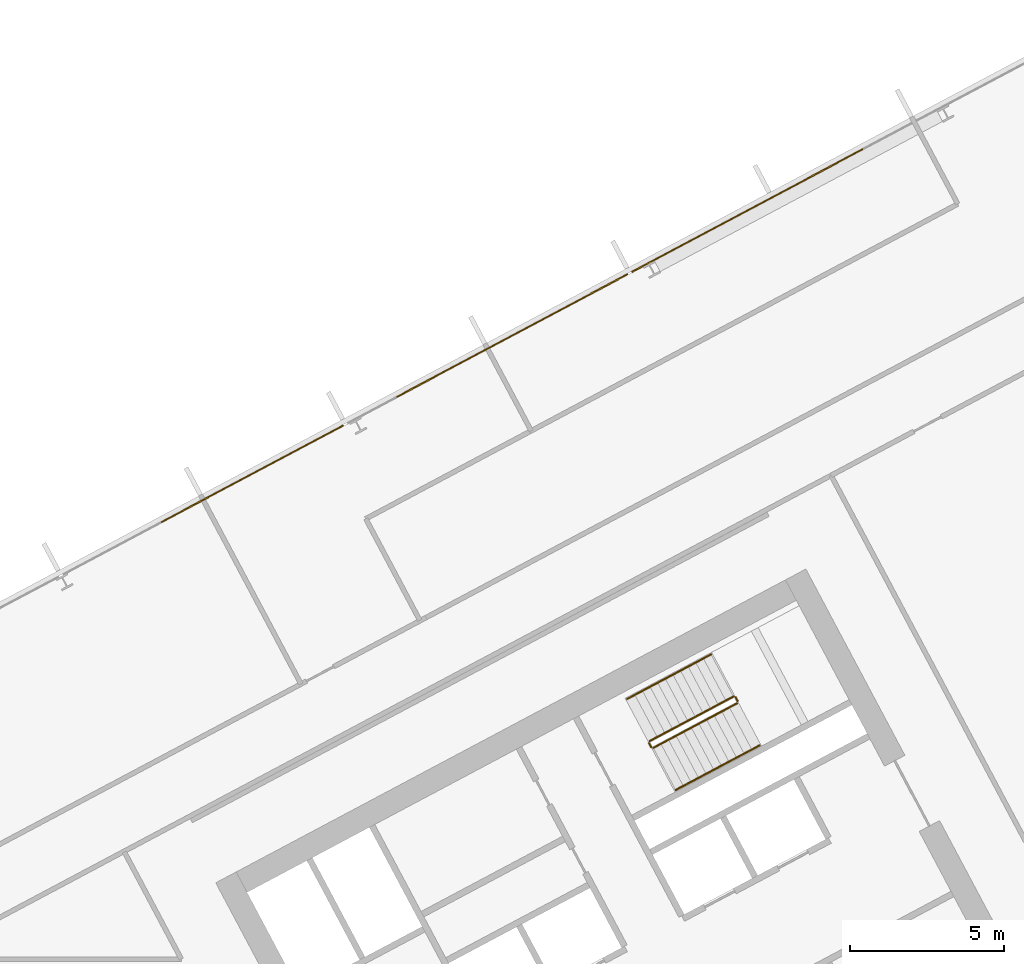
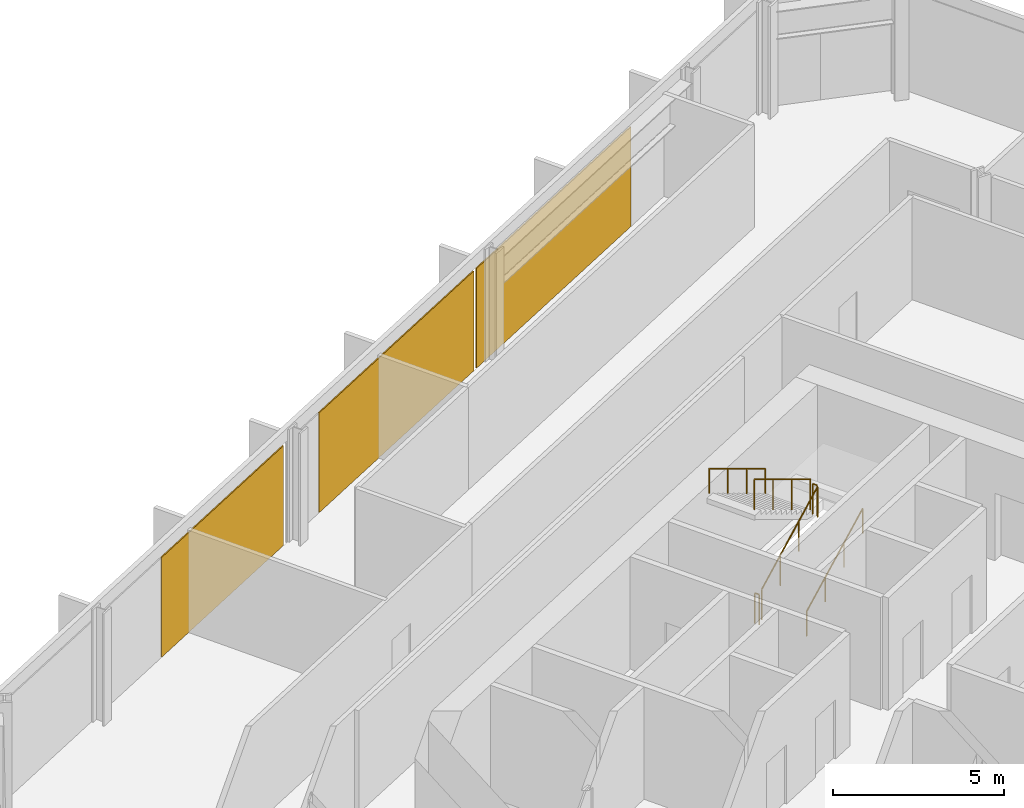
# One storey, part 27 of 28: 6 railings, 3 coverings, 1 element without a shape of its own.
"""IFC4 building model written with IfcOpenShell, lengths in metres."""

from ifc_helpers import new_model, si_unit, direction, frame, origin, origin_2d, place, context, subcontext, project, spatial, polyline, rectangle, outline, extrude, material, layer, layer_set, type_object, element, aggregate, save


model = new_model("IFC4")

# Units and contexts
model_context = context("Model", 3, precision=1e-05, world=origin(), true_north=direction((0.0, 1.0)))
body_context = subcontext(model_context, "Body", "Model", "MODEL_VIEW")
ifc_project = project(units=[si_unit("LENGTHUNIT", "METRE"), si_unit("AREAUNIT", "SQUARE_METRE"), si_unit("VOLUMEUNIT", "CUBIC_METRE"), si_unit("PLANEANGLEUNIT", "RADIAN"), si_unit("MASSUNIT", "GRAM", prefix="KILO")], contexts=[model_context])

# Site, building, storey
site_placement = place(None, origin())
site = spatial("IfcSite", under=ifc_project, at=site_placement, CompositionType="ELEMENT")
building_placement = place(site_placement, origin())
building = spatial("IfcBuilding", under=site, at=building_placement, Name="Cormorant Relay Tower", CompositionType="ELEMENT")
storey_placement = place(building_placement, frame((0.0, 0.0, 134.199951171875)))
storey = spatial("IfcBuildingStorey", under=building, at=storey_placement, Name="L27", CompositionType="ELEMENT", Elevation=134.199951171875)

# Curtain wall, coverings
ifc_material_1 = material(Name="Aluminium 6063-T6 anodised bronze", Category="aluminium")
ifc_layer_1 = layer(ifc_material_1, 0.199951171875)
ifc_layer_set_1 = layer_set([ifc_layer_1], Name="CW1 unitised bronze curtain wall with vertical fins")
curtain_wall_type = type_object("IfcCurtainWallType", Name="CW1 unitised bronze curtain wall with vertical fins", PredefinedType="NOTDEFINED", material=ifc_layer_set_1)
curtain_wall_placement = place(storey_placement, origin())
curtain_wall = element("IfcCurtainWall", 1, at=curtain_wall_placement, inside=storey, type_object=curtain_wall_type, Name="CW1 curtain wall 8", PredefinedType="NOTDEFINED")
ifc_material_2 = material(Name="Pale bronze anodised aluminium insulated panel", Category="aluminium")
ifc_layer_2 = layer(ifc_material_2, 0.0400390625)
ifc_layer_set_2 = layer_set([ifc_layer_2], Name="CW1 pale bronze insulated panel 40")
covering_type = type_object("IfcCoveringType", Name="CW1 pale bronze insulated panel 40", PredefinedType="CLADDING", material=ifc_layer_set_2)
covering_1_placement = place(storey_placement, frame((26.89892578125, 38.10888671875, 0.0), z_axis=(0.0, 0.0, 1.0), x_axis=(-0.882947592859, -0.469471562786, 0.0)))
covering_1 = element("IfcCovering", 2, at=covering_1_placement, type_object=covering_type, Name="CW1 panel S02", PredefinedType="CLADDING", context=body_context, shape_type="SweptSolid", body=[
    extrude(rectangle(XDim=8.508544921875, YDim=0.0400390625, at=origin_2d()), origin(), (0.0, 0.0, 1.0), 3.550048828125),
])
covering_2_placement = place(storey_placement, frame((19.25390625, 34.044189453125, 0.0), z_axis=(0.0, 0.0, 1.0), x_axis=(-0.882947592859, -0.469471562786, 0.0)))
covering_2 = element("IfcCovering", 3, at=covering_2_placement, type_object=covering_type, Name="CW1 panel S03", PredefinedType="CLADDING", context=body_context, shape_type="SweptSolid", body=[
    extrude(rectangle(XDim=8.508544921875, YDim=0.0400390625, at=origin_2d()), origin(), (0.0, 0.0, 1.0), 3.550048828125),
])
covering_3_placement = place(storey_placement, frame((10.814208984375, 29.556640625, 0.0), z_axis=(0.0, 0.0, 1.0), x_axis=(-0.882947592859, -0.469471562786, 0.0)))
covering_3 = element("IfcCovering", 4, at=covering_3_placement, type_object=covering_type, Name="CW1 panel S05", PredefinedType="CLADDING", context=body_context, shape_type="SweptSolid", body=[
    extrude(rectangle(XDim=6.70849609375, YDim=0.0400390625, at=origin_2d()), origin(), (0.0, 0.0, 1.0), 3.550048828125),
])
aggregate(curtain_wall, [covering_1, covering_2, covering_3])

# Railings
ifc_material_3 = material(Name="Steel ASTM A572 Grade 50 (Fy 345 MPa)", Category="steel")
railing_type_1 = type_object("IfcRailingType", Name="Stair guard 1100", PredefinedType="GUARDRAIL", material=ifc_material_3)
railing_1_placement = place(storey_placement, frame((23.8408203125, 20.6611328125, 0.166748046875)))
element("IfcRailing", 5, at=railing_1_placement, inside=storey, type_object=railing_type_1, Name="L27 B2 stair guard 1", PredefinedType="GUARDRAIL", context=body_context, shape_type="SweptSolid", body=[
    extrude(outline(polyline([(0.022216796875, 0.00927734375), (0.00927734375, 0.022216796875), (-0.00927734375, 0.022216796875), (-0.022216796875, 0.00927734375), (-0.022216796875, -0.00927734375), (-0.00927734375, -0.022216796875), (0.00927734375, -0.022216796875), (0.022216796875, -0.00927734375), (0.022216796875, 0.00927734375)])), frame((0.0, 0.0, 1.076171875), z_axis=(0.758734504837, 0.403377838015, 0.511476559549), x_axis=(-0.469427602063, 0.882970965786, 0.0)), (0.0, 0.0, 1.0), 3.584228515625),
    extrude(outline(polyline([(0.019287109375, 0.008056640625), (0.008056640625, 0.019287109375), (-0.008056640625, 0.019287109375), (-0.019287109375, 0.008056640625), (-0.019287109375, -0.008056640625), (-0.008056640625, -0.019287109375), (0.008056640625, -0.019287109375), (0.019287109375, -0.008056640625), (0.019287109375, 0.008056640625)])), origin(), (0.0, 0.0, 1.0), 1.052001953125),
    extrude(outline(polyline([(0.019287109375, 0.008056640625), (0.008056640625, 0.019287109375), (-0.008056640625, 0.019287109375), (-0.019287109375, 0.008056640625), (-0.019287109375, -0.008056640625), (-0.008056640625, -0.019287109375), (0.008056640625, -0.019287109375), (0.019287109375, -0.008056640625), (0.019287109375, 0.008056640625)])), frame((0.906494140625, 0.48193359375, 0.611083984375)), (0.0, 0.0, 1.0), 1.052001953125),
    extrude(outline(polyline([(0.019287109375, 0.008056640625), (0.008056640625, 0.019287109375), (-0.008056640625, 0.019287109375), (-0.019287109375, 0.008056640625), (-0.019287109375, -0.008056640625), (-0.008056640625, -0.019287109375), (0.008056640625, -0.019287109375), (0.019287109375, -0.008056640625), (0.019287109375, 0.008056640625)])), frame((1.81298828125, 0.9638671875, 1.22216796875)), (0.0, 0.0, 1.0), 1.052001953125),
    extrude(outline(polyline([(0.019287109375, 0.008056640625), (0.008056640625, 0.019287109375), (-0.008056640625, 0.019287109375), (-0.019287109375, 0.008056640625), (-0.019287109375, -0.008056640625), (-0.008056640625, -0.019287109375), (0.008056640625, -0.019287109375), (0.019287109375, -0.008056640625), (0.019287109375, 0.008056640625)])), frame((2.719482421875, 1.44580078125, 1.833251953125)), (0.0, 0.0, 1.0), 1.052001953125),
])
railing_2_placement = place(storey_placement, frame((26.5810546875, 22.174560546875, 2.0)))
element("IfcRailing", 6, at=railing_2_placement, inside=storey, type_object=railing_type_1, Name="L27 B2 stair guard 2", PredefinedType="GUARDRAIL", context=body_context, shape_type="SweptSolid", body=[
    extrude(outline(polyline([(0.022216796875, 0.00927734375), (0.00927734375, 0.022216796875), (-0.00927734375, 0.022216796875), (-0.022216796875, 0.00927734375), (-0.022216796875, -0.00927734375), (-0.00927734375, -0.022216796875), (0.00927734375, -0.022216796875), (0.022216796875, -0.00927734375), (0.022216796875, 0.00927734375)])), frame((0.0, 0.0, 1.076171875), z_axis=(-0.469828648786, 0.882757634224, 0.0), x_axis=(-0.882757634224, -0.469828648786, 0.0)), (0.0, 0.0, 1.0), 0.150146484375),
    extrude(outline(polyline([(0.019287109375, 0.008056640625), (0.008056640625, 0.019287109375), (-0.008056640625, 0.019287109375), (-0.019287109375, 0.008056640625), (-0.019287109375, -0.008056640625), (-0.008056640625, -0.019287109375), (0.008056640625, -0.019287109375), (0.019287109375, -0.008056640625), (0.019287109375, 0.008056640625)])), origin(), (0.0, 0.0, 1.0), 1.052001953125),
    extrude(outline(polyline([(0.019287109375, 0.008056640625), (0.008056640625, 0.019287109375), (-0.008056640625, 0.019287109375), (-0.019287109375, 0.008056640625), (-0.019287109375, -0.008056640625), (-0.008056640625, -0.019287109375), (0.008056640625, -0.019287109375), (0.019287109375, -0.008056640625), (0.019287109375, 0.008056640625)])), frame((-0.070556640625, 0.132568359375, 0.0)), (0.0, 0.0, 1.0), 1.052001953125),
])
railing_3_placement = place(storey_placement, frame((26.44287109375, 22.32763671875, 2.166748046875)))
element("IfcRailing", 7, at=railing_3_placement, inside=storey, type_object=railing_type_1, Name="L27 B2 stair guard 3", PredefinedType="GUARDRAIL", context=body_context, shape_type="SweptSolid", body=[
    extrude(outline(polyline([(0.022216796875, 0.00927734375), (0.00927734375, 0.022216796875), (-0.00927734375, 0.022216796875), (-0.022216796875, 0.00927734375), (-0.022216796875, -0.00927734375), (-0.00927734375, -0.022216796875), (0.00927734375, -0.022216796875), (0.022216796875, -0.00927734375), (0.022216796875, 0.00927734375)])), frame((0.0, 0.0, 1.076171875), z_axis=(-0.758734504837, -0.403377838015, 0.511476559549), x_axis=(0.469427602063, -0.882970965786, 0.0)), (0.0, 0.0, 1.0), 3.584228515625),
    extrude(outline(polyline([(0.019287109375, 0.008056640625), (0.008056640625, 0.019287109375), (-0.008056640625, 0.019287109375), (-0.019287109375, 0.008056640625), (-0.019287109375, -0.008056640625), (-0.008056640625, -0.019287109375), (0.008056640625, -0.019287109375), (0.019287109375, -0.008056640625), (0.019287109375, 0.008056640625)])), origin(), (0.0, 0.0, 1.0), 1.052001953125),
    extrude(outline(polyline([(0.019287109375, 0.008056640625), (0.008056640625, 0.019287109375), (-0.008056640625, 0.019287109375), (-0.019287109375, 0.008056640625), (-0.019287109375, -0.008056640625), (-0.008056640625, -0.019287109375), (0.008056640625, -0.019287109375), (0.019287109375, -0.008056640625), (0.019287109375, 0.008056640625)])), frame((-0.906494140625, -0.48193359375, 0.611083984375)), (0.0, 0.0, 1.0), 1.052001953125),
    extrude(outline(polyline([(0.019287109375, 0.008056640625), (0.008056640625, 0.019287109375), (-0.008056640625, 0.019287109375), (-0.019287109375, 0.008056640625), (-0.019287109375, -0.008056640625), (-0.008056640625, -0.019287109375), (0.008056640625, -0.019287109375), (0.019287109375, -0.008056640625), (0.019287109375, 0.008056640625)])), frame((-1.81298828125, -0.9638671875, 1.22216796875)), (0.0, 0.0, 1.0), 1.052001953125),
    extrude(outline(polyline([(0.019287109375, 0.008056640625), (0.008056640625, 0.019287109375), (-0.008056640625, 0.019287109375), (-0.019287109375, 0.008056640625), (-0.019287109375, -0.008056640625), (-0.008056640625, -0.019287109375), (0.008056640625, -0.019287109375), (0.019287109375, -0.008056640625), (0.019287109375, 0.008056640625)])), frame((-2.719482421875, -1.44580078125, 1.833251953125)), (0.0, 0.0, 1.0), 1.052001953125),
])
railing_4_placement = place(storey_placement, frame((23.773193359375, 20.681640625, 0.0)))
element("IfcRailing", 8, at=railing_4_placement, inside=storey, type_object=railing_type_1, Name="L27 B2 stair guard 4", PredefinedType="GUARDRAIL", context=body_context, shape_type="SweptSolid", body=[
    extrude(outline(polyline([(0.022216796875, 0.00927734375), (0.00927734375, 0.022216796875), (-0.00927734375, 0.022216796875), (-0.022216796875, 0.00927734375), (-0.022216796875, -0.00927734375), (-0.00927734375, -0.022216796875), (0.00927734375, -0.022216796875), (0.022216796875, -0.00927734375), (0.022216796875, 0.00927734375)])), frame((0.0, 0.0, 1.076171875), z_axis=(-0.46856034887, 0.8834314911, 0.0), x_axis=(-0.8834314911, -0.46856034887, 0.0)), (0.0, 0.0, 1.0), 0.150146484375),
    extrude(outline(polyline([(0.019287109375, 0.008056640625), (0.008056640625, 0.019287109375), (-0.008056640625, 0.019287109375), (-0.019287109375, 0.008056640625), (-0.019287109375, -0.008056640625), (-0.008056640625, -0.019287109375), (0.008056640625, -0.019287109375), (0.019287109375, -0.008056640625), (0.019287109375, 0.008056640625)])), origin(), (0.0, 0.0, 1.0), 1.052001953125),
    extrude(outline(polyline([(0.019287109375, 0.008056640625), (0.008056640625, 0.019287109375), (-0.008056640625, 0.019287109375), (-0.019287109375, 0.008056640625), (-0.019287109375, -0.008056640625), (-0.008056640625, -0.019287109375), (0.008056640625, -0.019287109375), (0.019287109375, -0.008056640625), (0.019287109375, 0.008056640625)])), frame((-0.0703125, 0.132568359375, 0.0)), (0.0, 0.0, 1.0), 1.052001953125),
])
ifc_material_4 = material(Name="Steel ASTM A572 Grade 50 (Fy 345 MPa)", Category="steel")
railing_type_2 = type_object("IfcRailingType", Name="Stair handrail 900", PredefinedType="HANDRAIL", material=ifc_material_4)
railing_5_placement = place(storey_placement, frame((24.568603515625, 19.29248046875, 0.166748046875)))
element("IfcRailing", 9, at=railing_5_placement, inside=storey, type_object=railing_type_2, Name="L27 B2 stair handrail 1", PredefinedType="HANDRAIL", context=body_context, shape_type="SweptSolid", body=[
    extrude(outline(polyline([(0.022216796875, 0.00927734375), (0.00927734375, 0.022216796875), (-0.00927734375, 0.022216796875), (-0.022216796875, 0.00927734375), (-0.022216796875, -0.00927734375), (-0.00927734375, -0.022216796875), (0.00927734375, -0.022216796875), (0.022216796875, -0.00927734375), (0.022216796875, 0.00927734375)])), frame((0.0, 0.0, 0.8759765625), z_axis=(0.758713656843, 0.403434867536, 0.511462505542), x_axis=(-0.469489399267, 0.882938108802, 0.0)), (0.0, 0.0, 1.0), 3.584228515625),
    extrude(outline(polyline([(0.019287109375, 0.008056640625), (0.008056640625, 0.019287109375), (-0.008056640625, 0.019287109375), (-0.019287109375, 0.008056640625), (-0.019287109375, -0.008056640625), (-0.008056640625, -0.019287109375), (0.008056640625, -0.019287109375), (0.019287109375, -0.008056640625), (0.019287109375, 0.008056640625)])), origin(), (0.0, 0.0, 1.0), 0.851806640625),
    extrude(outline(polyline([(0.019287109375, 0.008056640625), (0.008056640625, 0.019287109375), (-0.008056640625, 0.019287109375), (-0.019287109375, 0.008056640625), (-0.019287109375, -0.008056640625), (-0.008056640625, -0.019287109375), (0.008056640625, -0.019287109375), (0.019287109375, -0.008056640625), (0.019287109375, 0.008056640625)])), frame((0.906494140625, 0.48193359375, 0.611083984375)), (0.0, 0.0, 1.0), 0.851806640625),
    extrude(outline(polyline([(0.019287109375, 0.008056640625), (0.008056640625, 0.019287109375), (-0.008056640625, 0.019287109375), (-0.019287109375, 0.008056640625), (-0.019287109375, -0.008056640625), (-0.008056640625, -0.019287109375), (0.008056640625, -0.019287109375), (0.019287109375, -0.008056640625), (0.019287109375, 0.008056640625)])), frame((1.81298828125, 0.964111328125, 1.22216796875)), (0.0, 0.0, 1.0), 0.851806640625),
    extrude(outline(polyline([(0.019287109375, 0.008056640625), (0.008056640625, 0.019287109375), (-0.008056640625, 0.019287109375), (-0.019287109375, 0.008056640625), (-0.019287109375, -0.008056640625), (-0.008056640625, -0.019287109375), (0.008056640625, -0.019287109375), (0.019287109375, -0.008056640625), (0.019287109375, 0.008056640625)])), frame((2.719482421875, 1.446044921875, 1.833251953125)), (0.0, 0.0, 1.0), 0.851806640625),
])
railing_6_placement = place(storey_placement, frame((25.71533203125, 23.6962890625, 2.166748046875)))
element("IfcRailing", 10, at=railing_6_placement, inside=storey, type_object=railing_type_2, Name="L27 B2 stair handrail 2", PredefinedType="HANDRAIL", context=body_context, shape_type="SweptSolid", body=[
    extrude(outline(polyline([(0.022216796875, 0.00927734375), (0.00927734375, 0.022216796875), (-0.00927734375, 0.022216796875), (-0.022216796875, 0.00927734375), (-0.022216796875, -0.00927734375), (-0.00927734375, -0.022216796875), (0.00927734375, -0.022216796875), (0.022216796875, -0.00927734375), (0.022216796875, 0.00927734375)])), frame((0.0, 0.0, 0.8759765625), z_axis=(-0.758713656843, -0.403434867536, 0.511462505542), x_axis=(0.469489399267, -0.882938108802, 0.0)), (0.0, 0.0, 1.0), 3.584228515625),
    extrude(outline(polyline([(0.019287109375, 0.008056640625), (0.008056640625, 0.019287109375), (-0.008056640625, 0.019287109375), (-0.019287109375, 0.008056640625), (-0.019287109375, -0.008056640625), (-0.008056640625, -0.019287109375), (0.008056640625, -0.019287109375), (0.019287109375, -0.008056640625), (0.019287109375, 0.008056640625)])), origin(), (0.0, 0.0, 1.0), 0.851806640625),
    extrude(outline(polyline([(0.019287109375, 0.008056640625), (0.008056640625, 0.019287109375), (-0.008056640625, 0.019287109375), (-0.019287109375, 0.008056640625), (-0.019287109375, -0.008056640625), (-0.008056640625, -0.019287109375), (0.008056640625, -0.019287109375), (0.019287109375, -0.008056640625), (0.019287109375, 0.008056640625)])), frame((-0.906494140625, -0.48193359375, 0.611083984375)), (0.0, 0.0, 1.0), 0.851806640625),
    extrude(outline(polyline([(0.019287109375, 0.008056640625), (0.008056640625, 0.019287109375), (-0.008056640625, 0.019287109375), (-0.019287109375, 0.008056640625), (-0.019287109375, -0.008056640625), (-0.008056640625, -0.019287109375), (0.008056640625, -0.019287109375), (0.019287109375, -0.008056640625), (0.019287109375, 0.008056640625)])), frame((-1.81298828125, -0.964111328125, 1.22216796875)), (0.0, 0.0, 1.0), 0.851806640625),
    extrude(outline(polyline([(0.019287109375, 0.008056640625), (0.008056640625, 0.019287109375), (-0.008056640625, 0.019287109375), (-0.019287109375, 0.008056640625), (-0.019287109375, -0.008056640625), (-0.008056640625, -0.019287109375), (0.008056640625, -0.019287109375), (0.019287109375, -0.008056640625), (0.019287109375, 0.008056640625)])), frame((-2.719482421875, -1.446044921875, 1.833251953125)), (0.0, 0.0, 1.0), 0.851806640625),
])

save(model, "model.ifc")
